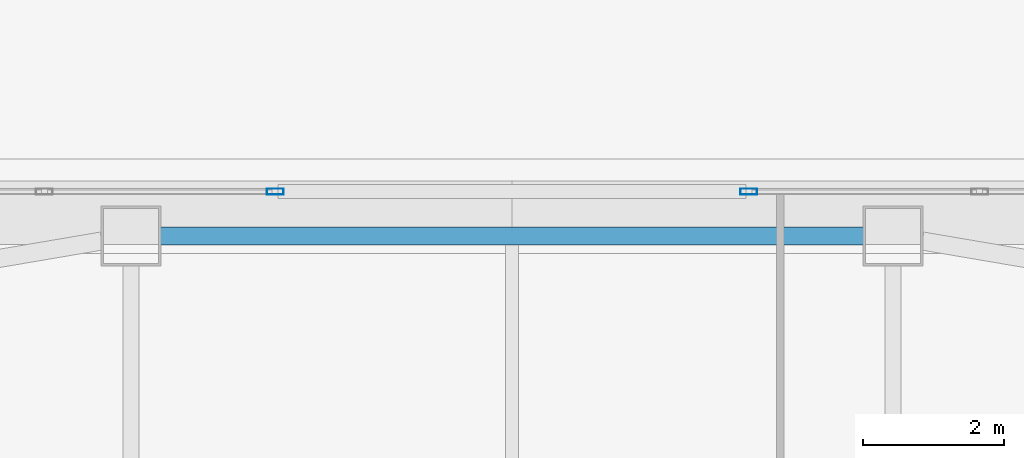
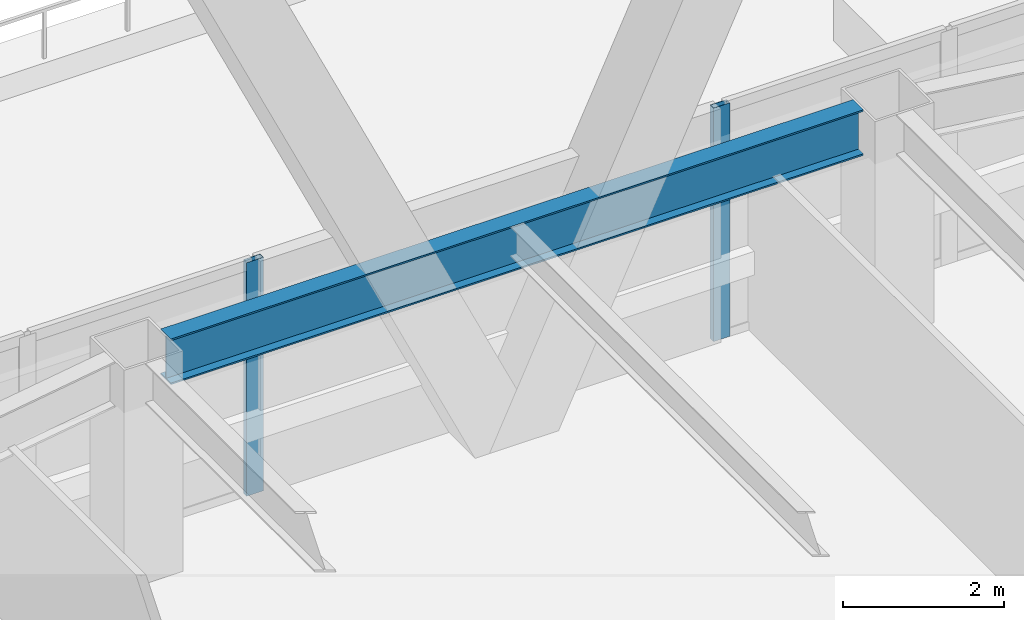
# One storey, part 20 of 83: 2 members, 1 beam, 2 elements without a shape of their own.
"""IFC4 building model written with IfcOpenShell, lengths in metres."""

from ifc_helpers import new_model, si_unit, direction, frame, origin, origin_2d, place, context, subcontext, project, spatial, hollow_rectangle, i_section, extrude, material, material_profile, profile_set, type_object, element, aggregate, save


model = new_model("IFC4")

# Units and contexts
model_context = context("Model", 3, precision=1e-05, world=origin(), true_north=direction((0.0, 1.0)))
body_context = subcontext(model_context, "Body", "Model", "MODEL_VIEW")
ifc_project = project(units=[si_unit("LENGTHUNIT", "METRE"), si_unit("AREAUNIT", "SQUARE_METRE"), si_unit("VOLUMEUNIT", "CUBIC_METRE"), si_unit("PLANEANGLEUNIT", "RADIAN"), si_unit("MASSUNIT", "GRAM", prefix="KILO")], contexts=[model_context])

# Site, building, storey
site_placement = place(None, origin())
site = spatial("IfcSite", under=ifc_project, at=site_placement, CompositionType="ELEMENT")
building_placement = place(site_placement, origin())
building = spatial("IfcBuilding", under=site, at=building_placement, Name="Tashvorn Skyway Center", CompositionType="ELEMENT")
storey_placement = place(building_placement, frame((0.0, 0.0, 24.60009765625)))
storey = spatial("IfcBuildingStorey", under=building, at=storey_placement, Name="L05", CompositionType="ELEMENT", Elevation=24.60009765625)

# Beam
ifc_material_1 = material(Name="Steel ASTM A992 Grade 50", Category="steel")
ifc_material_profile_1 = material_profile(ifc_material_1, i_section(OverallWidth=0.256103515625, OverallDepth=0.693115234375, WebThickness=0.014404296875, FlangeThickness=0.023681640625, at=origin_2d()), Name="W27X114")
ifc_profile_set_1 = profile_set([ifc_material_profile_1], Name="Steel ASTM A992 Grade 50")
beam_type = type_object("IfcBeamType", Name="BM-SPANDREL-W27X114", PredefinedType="SPANDREL", material=ifc_profile_set_1)
beam_placement = place(storey_placement, frame((46.97998046875, 54.25, 3.00341796875), z_axis=(-1.0, 0.0, 0.0), x_axis=(0.0, -1.0, 0.0)))
element("IfcBeam", 1, at=beam_placement, inside=storey, type_object=beam_type, Name="Tower 1 L05 Spandrel Beam 08", PredefinedType="SPANDREL", context=body_context, shape_type="SweptSolid", body=[
    extrude(i_section(OverallWidth=0.256103515625, OverallDepth=0.693115234375, WebThickness=0.014404296875, FlangeThickness=0.023681640625, at=origin_2d()), origin(), (0.0, 0.0, 1.0), 9.9599609375),
])

# Curtain wall, member
ifc_material_2 = material(Name="Thermally broken bronze-anodized aluminium 6063-T6", Category="aluminium")
curtain_wall_type = type_object("IfcCurtainWallType", Name="CW-CW-Z1", PredefinedType="NOTDEFINED", material=ifc_material_2)
curtain_wall_1_placement = place(storey_placement, origin())
curtain_wall_1 = element("IfcCurtainWall", 2, at=curtain_wall_1_placement, inside=storey, type_object=curtain_wall_type, Name="Tower 1 L05 North Unitised Curtain Wall Glazing Group 2", PredefinedType="NOTDEFINED")
ifc_material_profile_2 = material_profile(ifc_material_2, hollow_rectangle(XDim=0.0849609375, YDim=0.239990234375, WallThickness=0.0048828125, at=origin_2d()), Name="ALU-MULL-85x240")
ifc_profile_set_2 = profile_set([ifc_material_profile_2], Name="Thermally broken bronze-anodized aluminium 6063-T6")
member_type = type_object("IfcMemberType", Name="CWM-CW-Z1", PredefinedType="MULLION", material=ifc_profile_set_2)
member_1_placement = place(storey_placement, frame((38.644287109375, 54.8798828125, 0.0), z_axis=(0.0, 0.0, 1.0), x_axis=(0.0, 1.0, 0.0)))
member_1 = element("IfcMember", 3, at=member_1_placement, type_object=member_type, Name="CW-Z1 mullion 3", PredefinedType="MULLION", context=body_context, shape_type="SweptSolid", body=[
    extrude(hollow_rectangle(XDim=0.0849609375, YDim=0.239990234375, WallThickness=0.0048828125, at=origin_2d()), origin(), (0.0, 0.0, 1.0), 3.5498046875),
])
aggregate(curtain_wall_1, [member_1])

curtain_wall_2_placement = place(storey_placement, origin())
curtain_wall_2 = element("IfcCurtainWall", 4, at=curtain_wall_2_placement, inside=storey, type_object=curtain_wall_type, Name="Tower 1 L05 North Unitised Curtain Wall Glazing Group 3", PredefinedType="NOTDEFINED")
member_2_placement = place(storey_placement, frame((45.355712890625, 54.8798828125, 0.0), z_axis=(0.0, 0.0, 1.0), x_axis=(0.0, 1.0, 0.0)))
member_2 = element("IfcMember", 5, at=member_2_placement, type_object=member_type, Name="CW-Z1 mullion 1", PredefinedType="MULLION", context=body_context, shape_type="SweptSolid", body=[
    extrude(hollow_rectangle(XDim=0.0849609375, YDim=0.239990234375, WallThickness=0.0048828125, at=origin_2d()), origin(), (0.0, 0.0, 1.0), 3.5498046875),
])
aggregate(curtain_wall_2, [member_2])

save(model, "model.ifc")
